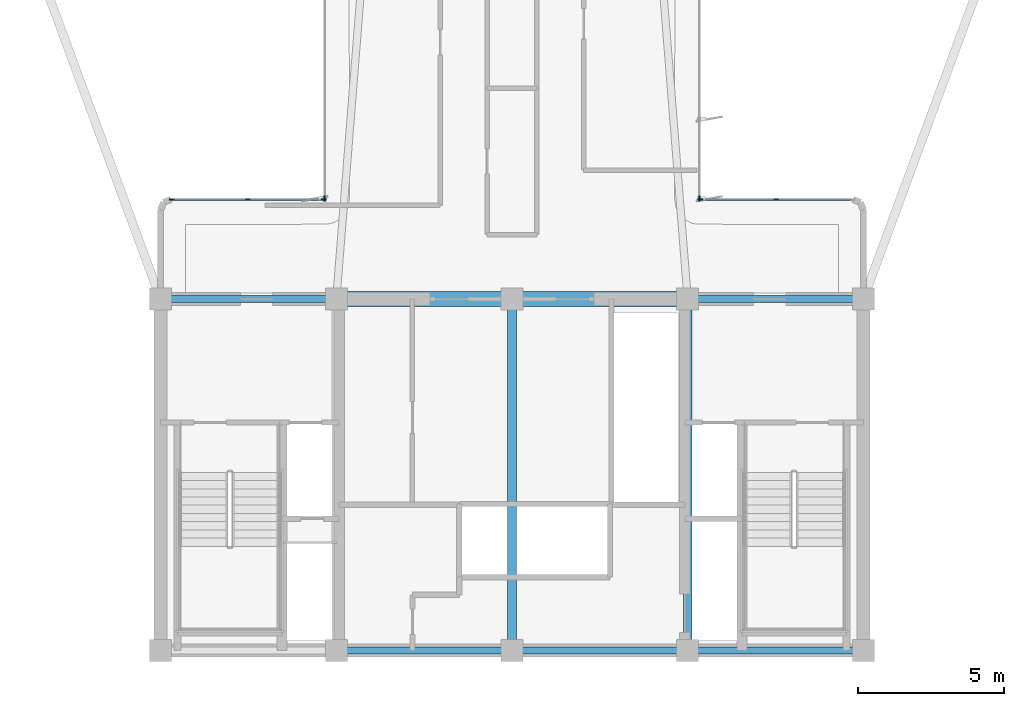
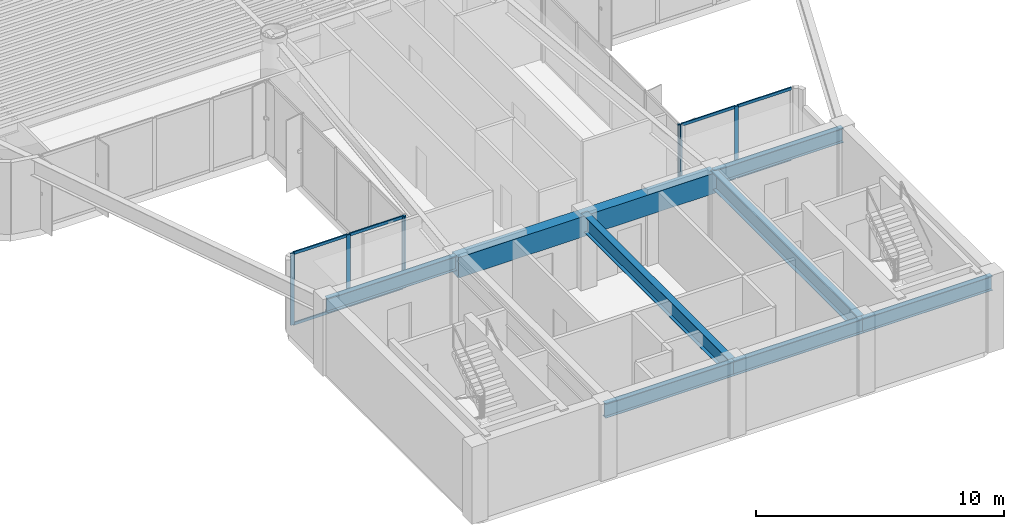
# One storey, part 2 of 15: 15 members, 8 beams, 4 elements without a shape of their own.
"""IFC4 building model written with IfcOpenShell, lengths in metres."""

import ifcopenshell
import ifcopenshell.guid

model = None  # the IFC model being written
_history = None  # IfcOwnerHistory: only IFC2X3 demands one
_inside = {}  # id of a spatial element -> (the spatial element, [elements in it])
_under = {}  # id of a project, library or spatial element -> (it, [spatial elements below it])
_declared = {}  # id of a project -> (the project, [libraries it declares])
_typed = {}  # id of a type object -> (the type object, [elements of that type])
_made_of = {}  # id of a material, layer set ... -> (it, [elements and type objects made of it])


def new_model(schema):
    """Start an empty IFC model of exactly this schema.

    Asked for "IFC4X3", IfcOpenShell would pick the latest addendum, in which some entities
    have other attributes; the version numbers below select the first issue.
    IFC2X3 requires an IfcOwnerHistory on every rooted entity: one is made here for all.
    """
    global model, _history
    if schema == "IFC4X3":
        model = ifcopenshell.file(schema_version=(4, 3, 0, 0))
    else:
        model = ifcopenshell.file(schema=schema)
    _inside.clear()
    _under.clear()
    _declared.clear()
    _typed.clear()
    _made_of.clear()
    _history = None
    if model.schema == "IFC2X3":
        org = make("IfcOrganization", Name="unknown")
        user = make(
            "IfcPersonAndOrganization",
            ThePerson=make("IfcPerson", FamilyName="unknown"),
            TheOrganization=org,
        )
        app = make(
            "IfcApplication",
            ApplicationDeveloper=org,
            Version="unknown",
            ApplicationFullName="unknown",
            ApplicationIdentifier="unknown",
        )
        _history = make(
            "IfcOwnerHistory",
            OwningUser=user,
            OwningApplication=app,
            ChangeAction="ADDED",
            CreationDate=0,
        )
    return model


def make(cls, **values):
    """One entity of the class cls with the attributes given. An attribute that is None is left unset."""
    return model.create_entity(
        cls, **{name: value for name, value in values.items() if value is not None}
    )


def rooted(cls, **values):
    """An entity with a GlobalId (a new one), such as an element, a storey or a relation."""
    return make(cls, GlobalId=ifcopenshell.guid.new(), OwnerHistory=_history, **values)


def si_unit(unit_type, name, prefix=None):
    """IfcSIUnit, for example si_unit("LENGTHUNIT", "METRE", prefix="MILLI")."""
    return make("IfcSIUnit", UnitType=unit_type, Prefix=prefix, Name=name)


def assignment(units):
    """IfcUnitAssignment: the units of a project."""
    return None if units is None else make("IfcUnitAssignment", Units=units)


def point(xyz):
    """IfcCartesianPoint."""
    return None if xyz is None else make("IfcCartesianPoint", Coordinates=xyz)


def direction(xyz):
    """IfcDirection."""
    return None if xyz is None else make("IfcDirection", DirectionRatios=xyz)


def frame(location, z_axis=None, x_axis=None):
    """IfcAxis2Placement3D, a coordinate frame: its origin and axes. An axis left out is left unset."""
    return make(
        "IfcAxis2Placement3D",
        Location=point(location),
        Axis=direction(z_axis),
        RefDirection=direction(x_axis),
    )


def frame_2d(location, x_axis=None):
    """IfcAxis2Placement2D, a coordinate frame in the plane: its origin and x axis."""
    return make(
        "IfcAxis2Placement2D", Location=point(location), RefDirection=direction(x_axis)
    )


def origin():
    """The frame at (0, 0, 0) with its axes left unset."""
    return frame((0.0, 0.0, 0.0))


def origin_2d():
    """The frame at (0, 0) in the plane with its x axis left unset."""
    return frame_2d((0.0, 0.0))


def place(relative_to, where):
    """IfcLocalPlacement: puts the frame where relative to a parent placement (None: the world)."""
    return make(
        "IfcLocalPlacement", PlacementRelTo=relative_to, RelativePlacement=where
    )


def context(
    kind, dimensions, precision=None, world=None, true_north=None, identifier=None
):
    """IfcGeometricRepresentationContext, for example the 3D "Model" context."""
    return make(
        "IfcGeometricRepresentationContext",
        ContextIdentifier=identifier,
        ContextType=kind,
        CoordinateSpaceDimension=dimensions,
        Precision=precision,
        WorldCoordinateSystem=world,
        TrueNorth=true_north,
    )


def subcontext(parent, identifier, kind, view, scale=None):
    """IfcGeometricRepresentationSubContext, for example "Body" below "Model"."""
    return make(
        "IfcGeometricRepresentationSubContext",
        ContextIdentifier=identifier,
        ContextType=kind,
        ParentContext=parent,
        TargetScale=scale,
        TargetView=view,
    )


def project(units=None, contexts=None):
    """IfcProject with its units and contexts."""
    return rooted(
        "IfcProject",
        Name="project",
        RepresentationContexts=contexts,
        UnitsInContext=assignment(units),
    )


def spatial(cls, under=None, at=None, **own):
    """A site, building, storey or space (cls), placed at a placement, below another one or the project."""
    s = rooted(cls, ObjectPlacement=at, **own)
    if under is not None:
        _under.setdefault(under.id(), (under, []))[1].append(s)
    return s


def profile(cls, at=None, kind="AREA", **sizes):
    """A parametric profile (cls). Its sizes go by their IFC names, for example OverallWidth=200.0."""
    return make(cls, ProfileType=kind, Position=at, **sizes)


def rectangle(**sizes):
    """IfcRectangleProfileDef."""
    return profile("IfcRectangleProfileDef", **sizes)


def i_section(**sizes):
    """IfcIShapeProfileDef."""
    return profile("IfcIShapeProfileDef", **sizes)


def extrude(swept, where, along, depth):
    """IfcExtrudedAreaSolid: the profile swept, set in the frame where, extruded along a direction by depth."""
    return make(
        "IfcExtrudedAreaSolid",
        SweptArea=swept,
        Position=where,
        ExtrudedDirection=direction(along),
        Depth=depth,
    )


def shape(context_of_items, identifier, shape_type, items):
    """IfcShapeRepresentation: the items that make up one representation, for example the "Body"."""
    return make(
        "IfcShapeRepresentation",
        ContextOfItems=context_of_items,
        RepresentationIdentifier=identifier,
        RepresentationType=shape_type,
        Items=items,
    )


def source(mapping_origin, context_of_items, identifier, shape_type, items):
    """IfcRepresentationMap: a shape defined once, which mapped items show again and again."""
    return make(
        "IfcRepresentationMap",
        MappingOrigin=mapping_origin,
        MappedRepresentation=shape(context_of_items, identifier, shape_type, items),
    )


def transform(
    local_origin,
    x_axis=None,
    y_axis=None,
    z_axis=None,
    scale=None,
    scale2=None,
    scale3=None,
    uniform=True,
):
    """IfcCartesianTransformationOperator3D, or its non-uniform kind. x_axis, y_axis, z_axis: its Axis1, 2, 3."""
    if uniform:
        return make(
            "IfcCartesianTransformationOperator3D",
            Axis1=direction(x_axis),
            Axis2=direction(y_axis),
            LocalOrigin=point(local_origin),
            Scale=scale,
            Axis3=direction(z_axis),
        )
    return make(
        "IfcCartesianTransformationOperator3DnonUniform",
        Axis1=direction(x_axis),
        Axis2=direction(y_axis),
        LocalOrigin=point(local_origin),
        Scale=scale,
        Axis3=direction(z_axis),
        Scale2=scale2,
        Scale3=scale3,
    )


def mapped(mapping_source, mapping_target):
    """IfcMappedItem: shows the shape of a source again, moved by a transform."""
    return make(
        "IfcMappedItem", MappingSource=mapping_source, MappingTarget=mapping_target
    )


def material(Name=None, Category=None):
    """IfcMaterial."""
    return make("IfcMaterial", Name=Name, Category=Category)


def layer(
    of_material, thickness, ventilated=None, Name=None, Category=None, Priority=None
):
    """IfcMaterialLayer: one layer of a wall or slab, of a material (None: an air gap)."""
    return make(
        "IfcMaterialLayer",
        Material=of_material,
        LayerThickness=thickness,
        IsVentilated=ventilated,
        Name=Name,
        Category=Category,
        Priority=Priority,
    )


def layer_set(layers, Name=None):
    """IfcMaterialLayerSet."""
    return make("IfcMaterialLayerSet", MaterialLayers=layers, LayerSetName=Name)


def material_profile(
    of_material, cross_section, Name=None, Category=None, Priority=None
):
    """IfcMaterialProfile: a cross section and its material."""
    return make(
        "IfcMaterialProfile",
        Name=Name,
        Material=of_material,
        Profile=cross_section,
        Priority=Priority,
        Category=Category,
    )


def profile_set(profiles, Name=None, composite=None):
    """IfcMaterialProfileSet."""
    return make(
        "IfcMaterialProfileSet",
        Name=Name,
        MaterialProfiles=profiles,
        CompositeProfile=composite,
    )


def made_of(thing, what):
    """Note that an element or type object is made of a material, layer set ...; save() writes the relation."""
    if what is not None:
        _made_of.setdefault(what.id(), (what, []))[1].append(thing)
    return thing


def type_object(cls, material=None, **own):
    """A type object (cls), such as IfcWallType, which elements share."""
    return made_of(rooted(cls, **own), material)


def element(
    cls,
    number,
    at=None,
    inside=None,
    cuts=None,
    type_object=None,
    material=None,
    context=None,
    identifier="Body",
    shape_type=None,
    held_by="IfcProductDefinitionShape",
    body=None,
    shapes=None,
    **own,
):
    """One element of the class cls, such as IfcWall. Its Tag is "e" and its number.

    at: its placement. inside: the storey or other place that contains it. cuts: it is an
    opening in that element (IfcRelVoidsElement). A single representation is given by context,
    identifier, shape_type and body (its items); several are given by shapes. held_by: the class
    of the entity that holds the representations. save() writes the other relations.
    """
    e = rooted(cls, Tag="e%d" % number, ObjectPlacement=at, **own)
    if body is not None:
        shapes = [shape(context, identifier, shape_type, body)]
    if shapes is not None:
        e.Representation = make(held_by, Representations=shapes)
    if inside is not None:
        _inside.setdefault(inside.id(), (inside, []))[1].append(e)
    if cuts is not None:
        rooted(
            "IfcRelVoidsElement", RelatingBuildingElement=cuts, RelatedOpeningElement=e
        )
    if type_object is not None:
        _typed.setdefault(type_object.id(), (type_object, []))[1].append(e)
    return made_of(e, material)


def aggregate(whole, parts):
    """IfcRelAggregates: a whole, such as a stair, and the parts it consists of."""
    return rooted("IfcRelAggregates", RelatingObject=whole, RelatedObjects=parts)


def save(model, path):
    """Write the relations noted so far, then the file.

    IfcRelAggregates (storeys below a building ...), IfcRelContainedInSpatialStructure (elements
    in a storey), IfcRelDefinesByType, IfcRelAssociatesMaterial and IfcRelDeclares: one each for
    every whole, place, type object, material and project.
    """
    for whole, parts in _under.values():
        aggregate(whole, parts)
    for where, things in _inside.values():
        rooted(
            "IfcRelContainedInSpatialStructure",
            RelatedElements=things,
            RelatingStructure=where,
        )
    for kind, things in _typed.values():
        rooted("IfcRelDefinesByType", RelatedObjects=things, RelatingType=kind)
    for what, things in _made_of.values():
        rooted("IfcRelAssociatesMaterial", RelatedObjects=things, RelatingMaterial=what)
    for by, libraries in _declared.values():
        rooted("IfcRelDeclares", RelatingContext=by, RelatedDefinitions=libraries)
    model.write(path)


model = new_model("IFC4")

# Units and contexts
model_context = context("Model", 3, precision=1e-05, world=origin(), true_north=direction((0.0, 1.0)))
body_context = subcontext(model_context, "Body", "Model", "MODEL_VIEW")
ifc_project = project(units=[si_unit("LENGTHUNIT", "METRE"), si_unit("AREAUNIT", "SQUARE_METRE"), si_unit("VOLUMEUNIT", "CUBIC_METRE"), si_unit("PLANEANGLEUNIT", "RADIAN"), si_unit("MASSUNIT", "GRAM", prefix="KILO")], contexts=[model_context])

# Site, building, storey
site_placement = place(None, origin())
site = spatial("IfcSite", under=ifc_project, at=site_placement, CompositionType="ELEMENT")
building_placement = place(site_placement, origin())
building = spatial("IfcBuilding", under=site, at=building_placement, Name="Brelvock Crest Care Tower", CompositionType="ELEMENT")
storey_placement = place(building_placement, frame((0.0, 0.0, 156.419921875)))
storey = spatial("IfcBuildingStorey", under=building, at=storey_placement, Name="L39", CompositionType="ELEMENT", Elevation=156.419921875)

# Beams
ifc_material_1 = material(Name="Steel Grade 350", Category="steel")
ifc_material_profile_1 = material_profile(ifc_material_1, i_section(OverallWidth=0.25, OverallDepth=0.699951171875, WebThickness=0.011962890625, FlangeThickness=0.02001953125, at=origin_2d()), Name="700WB150")
ifc_profile_set_1 = profile_set([ifc_material_profile_1], Name="Steel Grade 350")
beam_type_1 = type_object("IfcBeamType", Name="BM-G4", PredefinedType="BEAM", material=ifc_profile_set_1)
shared_shape_1 = source(origin(), body_context, "Body", "SweptSolid", [
    extrude(i_section(OverallWidth=0.25, OverallDepth=0.699951171875, WebThickness=0.011962890625, FlangeThickness=0.02001953125, at=origin_2d()), origin(), (0.0, 0.0, 1.0), 6.0),
])
for number, where, z_axis, x_axis, name in (
    (1, (24.0, 18.0, 3.18017578125), (1.0, 0.0, 0.0), (0.0, 1.0, 0.0), "BM-COREN-L39-1"),
    (2, (30.0, 6.0, 3.18017578125), (1.0, 0.0, 0.0), (0.0, 1.0, 0.0), "BM-CORES-L39-2"),
    (3, (36.0, 6.0, 3.18017578125), (1.0, 0.0, 0.0), (0.0, 1.0, 0.0), "BM-CORES-L39-3"),
    (4, (42.0, 6.0, 3.18017578125), (1.0, 0.0, 0.0), (0.0, 1.0, 0.0), "BM-CORES-L39-4"),
    (5, (42.0, 18.0, 3.18017578125), (1.0, 0.0, 0.0), (0.0, 1.0, 0.0), "BM-COREN-L39-4"),
):
    element("IfcBeam", number, at=place(storey_placement, frame(where, z_axis=z_axis, x_axis=x_axis)), inside=storey, type_object=beam_type_1, Name=name, PredefinedType="BEAM", context=body_context, shape_type="MappedRepresentation", body=[
        mapped(shared_shape_1, transform((0.0, 0.0, 0.0), x_axis=(1.0, 0.0, 0.0), y_axis=(0.0, 1.0, 0.0), z_axis=(0.0, 0.0, 1.0), scale=1.0)),
    ])
ifc_material_profile_2 = material_profile(ifc_material_1, i_section(OverallWidth=0.300048828125, OverallDepth=0.800048828125, WebThickness=0.013916015625, FlangeThickness=0.02197265625, at=origin_2d()), Name="800WB192")
ifc_profile_set_2 = profile_set([ifc_material_profile_2], Name="Steel Grade 350")
beam_type_2 = type_object("IfcBeamType", Name="BM-G5", PredefinedType="BEAM", material=ifc_profile_set_2)
shared_shape_2 = source(origin(), body_context, "Body", "SweptSolid", [
    extrude(i_section(OverallWidth=0.300048828125, OverallDepth=0.800048828125, WebThickness=0.013916015625, FlangeThickness=0.02197265625, at=origin_2d()), origin(), (0.0, 0.0, 1.0), 12.0),
])
for number, where, z_axis, x_axis, name in (
    (6, (36.0, 6.0, 3.130126953125), (0.0, 1.0, 0.0), (-1.0, 0.0, 0.0), "BM-COREX-L39-3"),
    (7, (42.0, 6.0, 3.130126953125), (0.0, 1.0, 0.0), (-1.0, 0.0, 0.0), "BM-COREX-L39-4"),
):
    element("IfcBeam", number, at=place(storey_placement, frame(where, z_axis=z_axis, x_axis=x_axis)), inside=storey, type_object=beam_type_2, Name=name, PredefinedType="BEAM", context=body_context, shape_type="MappedRepresentation", body=[
        mapped(shared_shape_2, transform((0.0, 0.0, 0.0), x_axis=(1.0, 0.0, 0.0), y_axis=(0.0, 1.0, 0.0), z_axis=(0.0, 0.0, 1.0), scale=1.0)),
    ])
ifc_material_2 = material(Name="Concrete S65 (65 MPa)", Category="concrete")
ifc_material_profile_3 = material_profile(ifc_material_2, rectangle(XDim=0.5, YDim=1.0, at=origin_2d()), Name="RC500x1000")
ifc_profile_set_3 = profile_set([ifc_material_profile_3], Name="Concrete S65 (65 MPa)")
beam_type_3 = type_object("IfcBeamType", Name="BM-LN2", PredefinedType="LINTEL", material=ifc_profile_set_3)
shared_shape_3 = source(origin(), body_context, "Body", "SweptSolid", [
    extrude(rectangle(XDim=0.5, YDim=1.0, at=origin_2d()), origin(), (0.0, 0.0, 1.0), 12.0),
])
beam_placement = place(storey_placement, frame((30.0, 18.0, 3.030029296875), z_axis=(1.0, 0.0, 0.0), x_axis=(0.0, 1.0, 0.0)))
element("IfcBeam", 8, at=beam_placement, inside=storey, type_object=beam_type_3, Name="L39 Core Coupling Lintel Beam", PredefinedType="LINTEL", context=body_context, shape_type="MappedRepresentation", body=[
    mapped(shared_shape_3, transform((0.0, 0.0, 0.0), x_axis=(1.0, 0.0, 0.0), y_axis=(0.0, 1.0, 0.0), z_axis=(0.0, 0.0, 1.0), scale=1.0)),
])

# Curtain wall, members
ifc_material_3 = material(Name="Dark Glass Double Glazed Low-E", Category="glass")
ifc_layer = layer(ifc_material_3, 0.22509765625, Name="CWS-4")
ifc_layer_set = layer_set([ifc_layer], Name="Dark Glass Double Glazed Low-E")
curtain_wall_type = type_object("IfcCurtainWallType", Name="CWS-4", PredefinedType="NOTDEFINED", material=ifc_layer_set)
curtain_wall_1_placement = place(storey_placement, origin())
curtain_wall_1 = element("IfcCurtainWall", 9, at=curtain_wall_1_placement, inside=storey, type_object=curtain_wall_type, Name="L39 Curtain Wall E10", PredefinedType="NOTDEFINED")
ifc_material_4 = material(Name="Aluminium 6063-T6", Category="aluminium")
ifc_material_profile_4 = material_profile(ifc_material_4, rectangle(XDim=0.06005859375, YDim=0.179931640625, at=origin_2d()), Name="ALU60x180")
ifc_profile_set_4 = profile_set([ifc_material_profile_4], Name="Aluminium 6063-T6")
member_type_1 = type_object("IfcMemberType", Name="CWM-2", PredefinedType="MULLION", material=ifc_profile_set_4)
shared_shape_4 = source(origin(), body_context, "Body", "SweptSolid", [
    extrude(rectangle(XDim=0.06005859375, YDim=0.179931640625, at=origin_2d()), origin(), (0.0, 0.0, 1.0), 3.530029296875),
])
member_1_placement = place(storey_placement, frame((24.3798828125, 21.39990234375, 0.0), z_axis=(0.0, 0.0, 1.0), x_axis=(0.0, 1.0, 0.0)))
member_1 = element("IfcMember", 10, at=member_1_placement, type_object=member_type_1, Name="CW-4 mullion 1", PredefinedType="MULLION", context=body_context, shape_type="MappedRepresentation", body=[
    mapped(shared_shape_4, transform((0.0, 0.0, 0.0), x_axis=(1.0, 0.0, 0.0), y_axis=(0.0, 1.0, 0.0), z_axis=(0.0, 0.0, 1.0), scale=1.0)),
])
member_2_placement = place(storey_placement, frame((26.97509765625, 21.39990234375, 0.0), z_axis=(0.0, 0.0, 1.0), x_axis=(0.0, 1.0, 0.0)))
member_2 = element("IfcMember", 11, at=member_2_placement, type_object=member_type_1, Name="CW-4 mullion 2", PredefinedType="MULLION", context=body_context, shape_type="MappedRepresentation", body=[
    mapped(shared_shape_4, transform((0.0, 0.0, 0.0), x_axis=(1.0, 0.0, 0.0), y_axis=(0.0, 1.0, 0.0), z_axis=(0.0, 0.0, 1.0), scale=1.0)),
])
member_3_placement = place(storey_placement, frame((29.570068359375, 21.39990234375, 0.0), z_axis=(0.0, 0.0, 1.0), x_axis=(0.0, 1.0, 0.0)))
member_3 = element("IfcMember", 12, at=member_3_placement, type_object=member_type_1, Name="CW-4 mullion 3", PredefinedType="MULLION", context=body_context, shape_type="MappedRepresentation", body=[
    mapped(shared_shape_4, transform((0.0, 0.0, 0.0), x_axis=(1.0, 0.0, 0.0), y_axis=(0.0, 1.0, 0.0), z_axis=(0.0, 0.0, 1.0), scale=1.0)),
])

# Curtain wall, member
curtain_wall_2_placement = place(storey_placement, origin())
curtain_wall_2 = element("IfcCurtainWall", 13, at=curtain_wall_2_placement, inside=storey, type_object=curtain_wall_type, Name="L39 Curtain Wall E11", PredefinedType="NOTDEFINED")
member_4_placement = place(storey_placement, frame((29.60009765625, 21.429931640625, 0.0), z_axis=(0.0, 0.0, 1.0), x_axis=(-1.0, 0.0, 0.0)))
member_4 = element("IfcMember", 14, at=member_4_placement, type_object=member_type_1, Name="CW-4 mullion 1", PredefinedType="MULLION", context=body_context, shape_type="MappedRepresentation", body=[
    mapped(shared_shape_4, transform((0.0, 0.0, 0.0), x_axis=(1.0, 0.0, 0.0), y_axis=(0.0, 1.0, 0.0), z_axis=(0.0, 0.0, 1.0), scale=1.0)),
])
aggregate(curtain_wall_2, [member_4])

curtain_wall_3_placement = place(storey_placement, origin())
curtain_wall_3 = element("IfcCurtainWall", 15, at=curtain_wall_3_placement, inside=storey, type_object=curtain_wall_type, Name="L39 Curtain Wall E45", PredefinedType="NOTDEFINED")
member_5_placement = place(storey_placement, frame((42.39990234375, 21.429931640625, 0.0), z_axis=(0.0, 0.0, 1.0), x_axis=(1.0, 0.0, 0.0)))
member_5 = element("IfcMember", 16, at=member_5_placement, type_object=member_type_1, Name="CW-4 mullion 5", PredefinedType="MULLION", context=body_context, shape_type="MappedRepresentation", body=[
    mapped(shared_shape_4, transform((0.0, 0.0, 0.0), x_axis=(1.0, 0.0, 0.0), y_axis=(0.0, 1.0, 0.0), z_axis=(0.0, 0.0, 1.0), scale=1.0)),
])
aggregate(curtain_wall_3, [member_5])

# Curtain wall, members
curtain_wall_4_placement = place(storey_placement, origin())
curtain_wall_4 = element("IfcCurtainWall", 17, at=curtain_wall_4_placement, inside=storey, type_object=curtain_wall_type, Name="L39 Curtain Wall E46", PredefinedType="NOTDEFINED")
member_6_placement = place(storey_placement, frame((42.429931640625, 21.39990234375, 0.0), z_axis=(0.0, 0.0, 1.0), x_axis=(0.0, 1.0, 0.0)))
member_6 = element("IfcMember", 18, at=member_6_placement, type_object=member_type_1, Name="CW-4 mullion 1", PredefinedType="MULLION", context=body_context, shape_type="MappedRepresentation", body=[
    mapped(shared_shape_4, transform((0.0, 0.0, 0.0), x_axis=(1.0, 0.0, 0.0), y_axis=(0.0, 1.0, 0.0), z_axis=(0.0, 0.0, 1.0), scale=1.0)),
])
member_7_placement = place(storey_placement, frame((45.02490234375, 21.39990234375, 0.0), z_axis=(0.0, 0.0, 1.0), x_axis=(0.0, 1.0, 0.0)))
member_7 = element("IfcMember", 19, at=member_7_placement, type_object=member_type_1, Name="CW-4 mullion 2", PredefinedType="MULLION", context=body_context, shape_type="MappedRepresentation", body=[
    mapped(shared_shape_4, transform((0.0, 0.0, 0.0), x_axis=(1.0, 0.0, 0.0), y_axis=(0.0, 1.0, 0.0), z_axis=(0.0, 0.0, 1.0), scale=1.0)),
])

# Member
ifc_material_profile_5 = material_profile(ifc_material_4, rectangle(XDim=0.06005859375, YDim=0.139892578125, at=origin_2d()), Name="ALU60x140")
ifc_profile_set_5 = profile_set([ifc_material_profile_5], Name="Aluminium 6063-T6")
member_type_2 = type_object("IfcMemberType", Name="CWT-2", PredefinedType="USERDEFINED", material=ifc_profile_set_5)
shared_shape_5 = source(origin(), body_context, "Body", "SweptSolid", [
    extrude(rectangle(XDim=0.06005859375, YDim=0.139892578125, at=origin_2d()), origin(), (0.0, 0.0, 1.0), 2.53515625),
])
member_8_placement = place(storey_placement, frame((24.409912109375, 21.39990234375, 0.030029296875), z_axis=(1.0, 0.0, 0.0), x_axis=(0.0, 1.0, 0.0)))
member_8 = element("IfcMember", 20, at=member_8_placement, type_object=member_type_2, Name="CW-4 transom 1.1", ObjectType="TRANSOM", PredefinedType="USERDEFINED", context=body_context, shape_type="MappedRepresentation", body=[
    mapped(shared_shape_5, transform((0.0, 0.0, 0.0), x_axis=(1.0, 0.0, 0.0), y_axis=(0.0, 1.0, 0.0), z_axis=(0.0, 0.0, 1.0), scale=1.0)),
])

member_9_placement = place(storey_placement, frame((24.409912109375, 21.39990234375, 3.5), z_axis=(1.0, 0.0, 0.0), x_axis=(0.0, 1.0, 0.0)))
member_9 = element("IfcMember", 21, at=member_9_placement, type_object=member_type_2, Name="CW-4 transom 1.2", ObjectType="TRANSOM", PredefinedType="USERDEFINED", context=body_context, shape_type="MappedRepresentation", body=[
    mapped(shared_shape_5, transform((0.0, 0.0, 0.0), x_axis=(1.0, 0.0, 0.0), y_axis=(0.0, 1.0, 0.0), z_axis=(0.0, 0.0, 1.0), scale=1.0)),
])

member_10_placement = place(storey_placement, frame((27.0048828125, 21.39990234375, 0.030029296875), z_axis=(1.0, 0.0, 0.0), x_axis=(0.0, 1.0, 0.0)))
member_10 = element("IfcMember", 22, at=member_10_placement, type_object=member_type_2, Name="CW-4 transom 2.1", ObjectType="TRANSOM", PredefinedType="USERDEFINED", context=body_context, shape_type="MappedRepresentation", body=[
    mapped(shared_shape_5, transform((0.0, 0.0, 0.0), x_axis=(1.0, 0.0, 0.0), y_axis=(0.0, 1.0, 0.0), z_axis=(0.0, 0.0, 1.0), scale=1.0)),
])

member_11_placement = place(storey_placement, frame((27.0048828125, 21.39990234375, 3.5), z_axis=(1.0, 0.0, 0.0), x_axis=(0.0, 1.0, 0.0)))
member_11 = element("IfcMember", 23, at=member_11_placement, type_object=member_type_2, Name="CW-4 transom 2.2", ObjectType="TRANSOM", PredefinedType="USERDEFINED", context=body_context, shape_type="MappedRepresentation", body=[
    mapped(shared_shape_5, transform((0.0, 0.0, 0.0), x_axis=(1.0, 0.0, 0.0), y_axis=(0.0, 1.0, 0.0), z_axis=(0.0, 0.0, 1.0), scale=1.0)),
])

aggregate(curtain_wall_1, [member_1, member_2, member_3, member_8, member_9, member_10, member_11])

member_12_placement = place(storey_placement, frame((42.4599609375, 21.39990234375, 0.030029296875), z_axis=(1.0, 0.0, 0.0), x_axis=(0.0, 1.0, 0.0)))
member_12 = element("IfcMember", 24, at=member_12_placement, type_object=member_type_2, Name="CW-4 transom 1.1", ObjectType="TRANSOM", PredefinedType="USERDEFINED", context=body_context, shape_type="MappedRepresentation", body=[
    mapped(shared_shape_5, transform((0.0, 0.0, 0.0), x_axis=(1.0, 0.0, 0.0), y_axis=(0.0, 1.0, 0.0), z_axis=(0.0, 0.0, 1.0), scale=1.0)),
])

member_13_placement = place(storey_placement, frame((42.4599609375, 21.39990234375, 3.5), z_axis=(1.0, 0.0, 0.0), x_axis=(0.0, 1.0, 0.0)))
member_13 = element("IfcMember", 25, at=member_13_placement, type_object=member_type_2, Name="CW-4 transom 1.2", ObjectType="TRANSOM", PredefinedType="USERDEFINED", context=body_context, shape_type="MappedRepresentation", body=[
    mapped(shared_shape_5, transform((0.0, 0.0, 0.0), x_axis=(1.0, 0.0, 0.0), y_axis=(0.0, 1.0, 0.0), z_axis=(0.0, 0.0, 1.0), scale=1.0)),
])

member_14_placement = place(storey_placement, frame((45.054931640625, 21.39990234375, 0.030029296875), z_axis=(1.0, 0.0, 0.0), x_axis=(0.0, 1.0, 0.0)))
member_14 = element("IfcMember", 26, at=member_14_placement, type_object=member_type_2, Name="CW-4 transom 2.1", ObjectType="TRANSOM", PredefinedType="USERDEFINED", context=body_context, shape_type="MappedRepresentation", body=[
    mapped(shared_shape_5, transform((0.0, 0.0, 0.0), x_axis=(1.0, 0.0, 0.0), y_axis=(0.0, 1.0, 0.0), z_axis=(0.0, 0.0, 1.0), scale=1.0)),
])

member_15_placement = place(storey_placement, frame((45.054931640625, 21.39990234375, 3.5), z_axis=(1.0, 0.0, 0.0), x_axis=(0.0, 1.0, 0.0)))
member_15 = element("IfcMember", 27, at=member_15_placement, type_object=member_type_2, Name="CW-4 transom 2.2", ObjectType="TRANSOM", PredefinedType="USERDEFINED", context=body_context, shape_type="MappedRepresentation", body=[
    mapped(shared_shape_5, transform((0.0, 0.0, 0.0), x_axis=(1.0, 0.0, 0.0), y_axis=(0.0, 1.0, 0.0), z_axis=(0.0, 0.0, 1.0), scale=1.0)),
])

aggregate(curtain_wall_4, [member_6, member_7, member_12, member_13, member_14, member_15])

save(model, "model.ifc")
